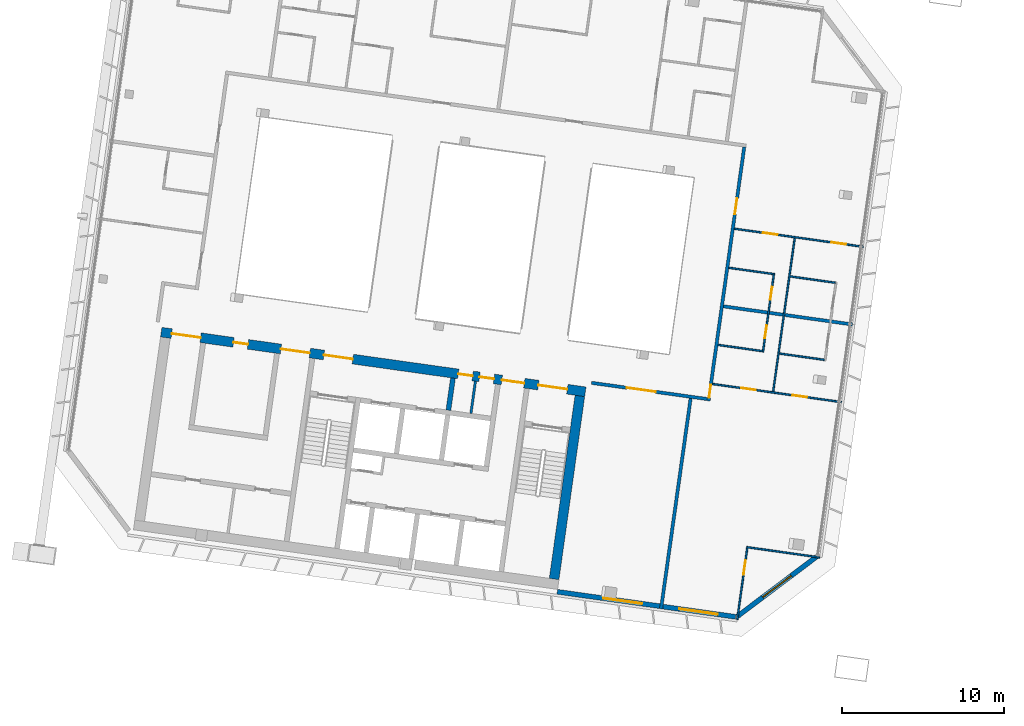
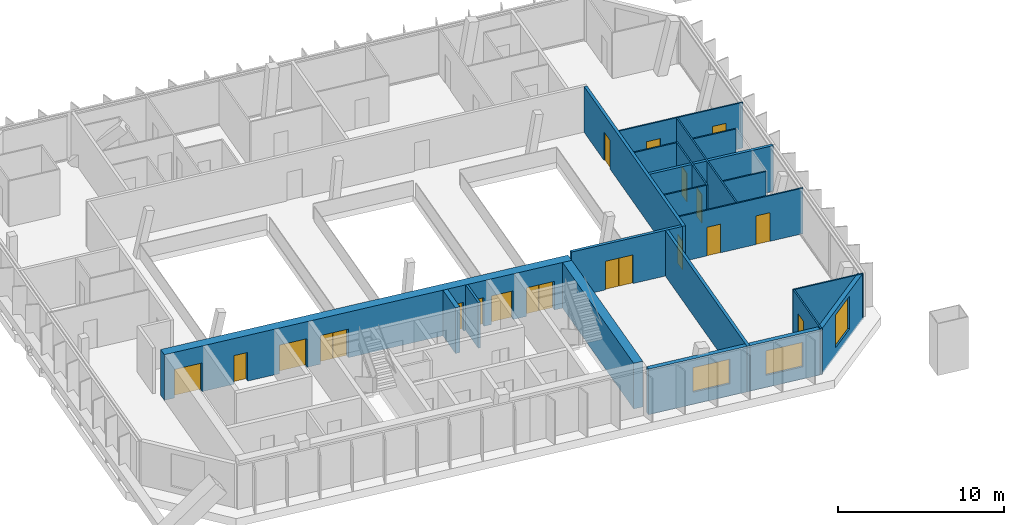
# One storey, part 15 of 25: 20 walls, 18 doors, 3 windows, 21 openings.
"""IFC4 building model written with IfcOpenShell, lengths in metres."""

from ifc_helpers import new_model, si_unit, direction, frame, frame_2d, origin, place, context, subcontext, project, spatial, rectangle, extrude, material, layer, layer_set, type_object, element, fill, save


model = new_model("IFC4")

# Units and contexts
model_context = context("Model", 3, precision=1e-05, world=origin(), true_north=direction((0.0, 1.0)))
body_context = subcontext(model_context, "Body", "Model", "MODEL_VIEW")
ifc_project = project(units=[si_unit("LENGTHUNIT", "METRE"), si_unit("AREAUNIT", "SQUARE_METRE"), si_unit("VOLUMEUNIT", "CUBIC_METRE"), si_unit("PLANEANGLEUNIT", "RADIAN"), si_unit("MASSUNIT", "GRAM", prefix="KILO")], contexts=[model_context])

# Site, building, storey
site_placement = place(None, origin())
site = spatial("IfcSite", under=ifc_project, at=site_placement, CompositionType="ELEMENT")
building_placement = place(site_placement, origin())
building = spatial("IfcBuilding", under=site, at=building_placement, Name="Mirante Cascada Hotel Towers", CompositionType="ELEMENT")
storey_placement = place(building_placement, frame((0.0, 0.0, 247.0)))
storey = spatial("IfcBuildingStorey", under=building, at=storey_placement, Name="L59", CompositionType="ELEMENT", Elevation=247.0)

# Wall, opening, door
ifc_material_1 = material(Name="Fire-rated plasterboard on metal studs")
ifc_layer_1 = layer(ifc_material_1, 0.2)
ifc_layer_set_1 = layer_set([ifc_layer_1], Name="Compartment wall 200 EI 120")
wall_type_1 = type_object("IfcWallType", Name="Compartment wall 200 EI 120", PredefinedType="PARTITIONING", material=ifc_layer_set_1)
wall_1_placement = place(storey_placement, frame((-28.1335, -8.1193, 0.0), z_axis=(0.0, 0.0, 1.0), x_axis=(-0.9902689, 0.1391674, 0.0)))
wall_1 = element("IfcWall", 1, at=wall_1_placement, inside=storey, type_object=wall_type_1, Name="Wall 1-L59-02", PredefinedType="PARTITIONING", context=body_context, shape_type="SweptSolid", body=[
    extrude(rectangle(XDim=7.2, YDim=0.2, at=frame_2d((3.6, 0.0))), origin(), (0.0, 0.0, 1.0), 3.35),
])
opening_1_placement = place(wall_1_placement, frame((3.2085, 0.0, 0.0)))
opening_1 = element("IfcOpeningElement", 2, at=opening_1_placement, cuts=wall_1, Name="Opening D1-L59-01", PredefinedType="OPENING", context=body_context, shape_type="SweptSolid", body=[
    extrude(rectangle(XDim=1.8, YDim=2.1, at=frame_2d((0.9, 1.05))), frame((0.0, 0.1, 0.0), z_axis=(0.0, -1.0, 0.0), x_axis=(1.0, 0.0, 0.0)), (0.0, 0.0, 1.0), 0.2),
])
ifc_material_2 = material(Name="Fire-rated timber door leaf", Category="wood")
door_type_1 = type_object("IfcDoorType", Name="Suite double door DG2 1800x2100 EI 60", OperationType="DOUBLE_DOOR_SINGLE_SWING", PredefinedType="DOOR", material=ifc_material_2)
door_1_placement = place(opening_1_placement, origin())
door_1 = element("IfcDoor", 3, at=door_1_placement, inside=storey, type_object=door_type_1, Name="Door D1-L59-01", OperationType="DOUBLE_DOOR_SINGLE_SWING", OverallHeight=2.1, OverallWidth=1.8, PredefinedType="DOOR", context=body_context, shape_type="SweptSolid", body=[
    extrude(rectangle(XDim=0.895, YDim=2.1, at=frame_2d((0.4475, 1.05))), frame((0.0, 0.025, 0.0), z_axis=(0.0, -1.0, 0.0), x_axis=(1.0, 0.0, 0.0)), (0.0, 0.0, 1.0), 0.05),
    extrude(rectangle(XDim=0.895, YDim=2.1, at=frame_2d((1.3525, 1.05))), frame((0.0, 0.025, 0.0), z_axis=(0.0, -1.0, 0.0), x_axis=(1.0, 0.0, 0.0)), (0.0, 0.0, 1.0), 0.05),
])
fill(opening_1, door_1)

# Wall
wall_2_placement = place(storey_placement, frame((-27.1282, -2.4036, 0.0), z_axis=(0.0, 0.0, 1.0), x_axis=(0.9902673, -0.1391788, 0.0)))
element("IfcWall", 4, at=wall_2_placement, inside=storey, type_object=wall_type_1, Name="Wall 1-L59-07", PredefinedType="PARTITIONING", context=body_context, shape_type="SweptSolid", body=[
    extrude(rectangle(XDim=8.0235, YDim=0.2, at=frame_2d((4.0118, 0.0))), origin(), (0.0, 0.0, 1.0), 3.35),
])

# Wall, openings, doors
wall_3_placement = place(storey_placement, frame((-28.0484, -8.2323, 0.0), z_axis=(0.0, 0.0, 1.0), x_axis=(0.1391766, 0.9902676, 0.0)))
wall_3 = element("IfcWall", 5, at=wall_3_placement, inside=storey, type_object=wall_type_1, Name="Wall 1-L59-32", PredefinedType="PARTITIONING", context=body_context, shape_type="SweptSolid", body=[
    extrude(rectangle(XDim=15.8001, YDim=0.2, at=frame_2d((7.9, 0.0))), origin(), (0.0, 0.0, 1.0), 3.35),
])
opening_2_placement = place(wall_3_placement, frame((0.205, 0.0, 0.0)))
opening_2 = element("IfcOpeningElement", 6, at=opening_2_placement, cuts=wall_3, Name="Opening D1-L59-23", PredefinedType="OPENING", context=body_context, shape_type="SweptSolid", body=[
    extrude(rectangle(XDim=0.8, YDim=2.1, at=frame_2d((0.4, 1.05))), frame((0.0, 0.1, 0.0), z_axis=(0.0, -1.0, 0.0), x_axis=(1.0, 0.0, 0.0)), (0.0, 0.0, 1.0), 0.2),
])
opening_3_placement = place(wall_3_placement, frame((11.6166, 0.0, 0.0)))
opening_3 = element("IfcOpeningElement", 7, at=opening_3_placement, cuts=wall_3, Name="Opening D1-L59-24", PredefinedType="OPENING", context=body_context, shape_type="SweptSolid", body=[
    extrude(rectangle(XDim=1.0, YDim=2.1, at=frame_2d((0.5, 1.05))), frame((0.0, 0.1, 0.0), z_axis=(0.0, -1.0, 0.0), x_axis=(1.0, 0.0, 0.0)), (0.0, 0.0, 1.0), 0.2),
])
ifc_material_3 = material(Name="Fire-rated timber door leaf", Category="wood")
door_type_2 = type_object("IfcDoorType", Name="Bathroom door DG4 800x2100 EI 60", OperationType="SINGLE_SWING_LEFT", PredefinedType="DOOR", material=ifc_material_3)
door_2_placement = place(opening_2_placement, frame((0.8, 0.0, 0.0), z_axis=(0.0, 0.0, 1.0), x_axis=(-1.0, 0.0, 0.0)))
door_2 = element("IfcDoor", 8, at=door_2_placement, inside=storey, type_object=door_type_2, Name="Door D1-L59-23", OperationType="SINGLE_SWING_RIGHT", OverallHeight=2.1, OverallWidth=0.8, PredefinedType="DOOR", context=body_context, shape_type="SweptSolid", body=[
    extrude(rectangle(XDim=0.8, YDim=2.1, at=frame_2d((0.4, 1.05))), frame((0.0, 0.025, 0.0), z_axis=(0.0, -1.0, 0.0), x_axis=(1.0, 0.0, 0.0)), (0.0, 0.0, 1.0), 0.05),
])
fill(opening_2, door_2)
ifc_material_4 = material(Name="Fire-rated timber door leaf", Category="wood")
door_type_3 = type_object("IfcDoorType", Name="Entrance door DG1 1000x2100 EI 60", OperationType="SINGLE_SWING_LEFT", PredefinedType="DOOR", material=ifc_material_4)
door_3_placement = place(opening_3_placement, frame((1.0, 0.0, 0.0), z_axis=(0.0, 0.0, 1.0), x_axis=(-1.0, 0.0, 0.0)))
door_3 = element("IfcDoor", 9, at=door_3_placement, inside=storey, type_object=door_type_3, Name="Door D1-L59-24", OperationType="SINGLE_SWING_RIGHT", OverallHeight=2.1, OverallWidth=1.0, PredefinedType="DOOR", context=body_context, shape_type="SweptSolid", body=[
    extrude(rectangle(XDim=1.0, YDim=2.1, at=frame_2d((0.5, 1.05))), frame((0.0, 0.025, 0.0), z_axis=(0.0, -1.0, 0.0), x_axis=(1.0, 0.0, 0.0)), (0.0, 0.0, 1.0), 0.05),
])
fill(opening_3, door_3)

# Walls
wall_4_placement = place(storey_placement, frame((-29.1544, -8.0768, 0.0), z_axis=(0.0, 0.0, 1.0), x_axis=(-0.1391756, -0.9902677, 0.0)))
element("IfcWall", 10, at=wall_4_placement, inside=storey, type_object=wall_type_1, Name="Wall 1-L59-33", PredefinedType="PARTITIONING", context=body_context, shape_type="SweptSolid", body=[
    extrude(rectangle(XDim=13.1, YDim=0.2, at=frame_2d((6.55, 0.0))), origin(), (0.0, 0.0, 1.0), 3.35),
])
ifc_material_5 = material(Name="Masonry block", Category="masonry")
ifc_layer_2 = layer(ifc_material_5, 0.15)
ifc_layer_set_2 = layer_set([ifc_layer_2], Name="Core room partition 150 block EI 30")
wall_type_2 = type_object("IfcWallType", Name="Core room partition 150 block EI 30", PredefinedType="PARTITIONING", material=ifc_layer_set_2)
wall_5_placement = place(storey_placement, frame((-42.6979, -9.0009, 0.0), z_axis=(0.0, 0.0, 1.0), x_axis=(0.1391529, 0.9902709, 0.0)))
element("IfcWall", 11, at=wall_5_placement, inside=storey, type_object=wall_type_2, Name="Core wall partition T1 L59 4", PredefinedType="PARTITIONING", context=body_context, shape_type="SweptSolid", body=[
    extrude(rectangle(XDim=2.0, YDim=0.15, at=frame_2d((1.0, 0.0))), origin(), (0.0, 0.0, 1.0), 3.35),
])
ifc_material_6 = material(Name="Masonry block", Category="masonry")
ifc_layer_3 = layer(ifc_material_6, 0.3)
ifc_layer_set_3 = layer_set([ifc_layer_3], Name="Core wall 300 block EI 120")
wall_type_3 = type_object("IfcWallType", Name="Core wall 300 block EI 120", PredefinedType="PARTITIONING", material=ifc_layer_set_3)
wall_6_placement = place(storey_placement, frame((-44.0843, -8.8061, 0.0), z_axis=(0.0, 0.0, 1.0), x_axis=(0.1391951, 0.990265, 0.0)))
element("IfcWall", 12, at=wall_6_placement, inside=storey, type_object=wall_type_3, Name="Core wall partition T1 L59 1", PredefinedType="PARTITIONING", context=body_context, shape_type="SweptSolid", body=[
    extrude(rectangle(XDim=2.0001, YDim=0.3, at=frame_2d((1.0001, 0.0))), origin(), (0.0, 0.0, 1.0), 3.35),
])
ifc_material_7 = material(Name="Plasterboard on metal studs")
ifc_layer_4 = layer(ifc_material_7, 0.1)
ifc_layer_set_4 = layer_set([ifc_layer_4], Name="Partition 100")
wall_type_4 = type_object("IfcWallType", Name="Partition 100", PredefinedType="PARTITIONING", material=ifc_layer_set_4)
wall_7_placement = place(storey_placement, frame((-25.7065, -17.2459, 0.0), z_axis=(0.0, 0.0, 1.0), x_axis=(0.9902691, -0.1391656, 0.0)))
element("IfcWall", 13, at=wall_7_placement, inside=storey, type_object=wall_type_4, Name="Wall 1-L59-01", PredefinedType="PARTITIONING", context=body_context, shape_type="SweptSolid", body=[
    extrude(rectangle(XDim=4.55, YDim=0.1, at=frame_2d((2.275, 0.0))), origin(), (0.0, 0.0, 1.0), 3.35),
])

# Wall, openings, doors
wall_8_placement = place(storey_placement, frame((-27.8009, -7.1899, 0.0), z_axis=(0.0, 0.0, 1.0), x_axis=(0.990269, -0.1391666, 0.0)))
wall_8 = element("IfcWall", 14, at=wall_8_placement, inside=storey, type_object=wall_type_4, Name="Wall 1-L59-03", PredefinedType="PARTITIONING", context=body_context, shape_type="SweptSolid", body=[
    extrude(rectangle(XDim=8.0235, YDim=0.1, at=frame_2d((4.0118, 0.0))), origin(), (0.0, 0.0, 1.0), 3.35),
])
opening_4_placement = place(wall_8_placement, frame((4.9735, 0.0, 0.0)))
opening_4 = element("IfcOpeningElement", 15, at=opening_4_placement, cuts=wall_8, Name="Opening D1-L59-02", PredefinedType="OPENING", context=body_context, shape_type="SweptSolid", body=[
    extrude(rectangle(XDim=0.9, YDim=2.1, at=frame_2d((0.45, 1.05))), frame((0.0, 0.05, 0.0), z_axis=(0.0, -1.0, 0.0), x_axis=(1.0, 0.0, 0.0)), (0.0, 0.0, 1.0), 0.1),
])
opening_5_placement = place(wall_8_placement, frame((1.7809, 0.0, 0.0)))
opening_5 = element("IfcOpeningElement", 16, at=opening_5_placement, cuts=wall_8, Name="Opening D1-L59-03", PredefinedType="OPENING", context=body_context, shape_type="SweptSolid", body=[
    extrude(rectangle(XDim=0.9, YDim=2.1, at=frame_2d((0.45, 1.05))), frame((0.0, 0.05, 0.0), z_axis=(0.0, -1.0, 0.0), x_axis=(1.0, 0.0, 0.0)), (0.0, 0.0, 1.0), 0.1),
])
ifc_material_8 = material(Name="Timber door leaf", Category="wood")
door_type_4 = type_object("IfcDoorType", Name="Room door DG3 900x2100", OperationType="SINGLE_SWING_LEFT", PredefinedType="DOOR", material=ifc_material_8)
door_4_placement = place(opening_4_placement, frame((0.9, 0.0, 0.0), z_axis=(0.0, 0.0, 1.0), x_axis=(-1.0, 0.0, 0.0)))
door_4 = element("IfcDoor", 17, at=door_4_placement, inside=storey, type_object=door_type_4, Name="Door D1-L59-02", OperationType="SINGLE_SWING_RIGHT", OverallHeight=2.1, OverallWidth=0.9, PredefinedType="DOOR", context=body_context, shape_type="SweptSolid", body=[
    extrude(rectangle(XDim=0.9, YDim=2.1, at=frame_2d((0.45, 1.05))), frame((0.0, 0.025, 0.0), z_axis=(0.0, -1.0, 0.0), x_axis=(1.0, 0.0, 0.0)), (0.0, 0.0, 1.0), 0.05),
])
fill(opening_4, door_4)
door_5_placement = place(opening_5_placement, frame((0.9, 0.0, 0.0), z_axis=(0.0, 0.0, 1.0), x_axis=(-1.0, 0.0, 0.0)))
door_5 = element("IfcDoor", 18, at=door_5_placement, inside=storey, type_object=door_type_4, Name="Door D1-L59-03", OperationType="SINGLE_SWING_RIGHT", OverallHeight=2.1, OverallWidth=0.9, PredefinedType="DOOR", context=body_context, shape_type="SweptSolid", body=[
    extrude(rectangle(XDim=0.9, YDim=2.1, at=frame_2d((0.45, 1.05))), frame((0.0, 0.025, 0.0), z_axis=(0.0, -1.0, 0.0), x_axis=(1.0, 0.0, 0.0)), (0.0, 0.0, 1.0), 0.05),
])
fill(opening_5, door_5)

# Walls
wall_9_placement = place(storey_placement, frame((-23.6875, -5.3107, 0.0), z_axis=(0.0, 0.0, 1.0), x_axis=(0.990267, -0.139181, 0.0)))
element("IfcWall", 19, at=wall_9_placement, inside=storey, type_object=wall_type_4, Name="Wall 1-L59-05", PredefinedType="PARTITIONING", context=body_context, shape_type="SweptSolid", body=[
    extrude(rectangle(XDim=2.8, YDim=0.1, at=frame_2d((1.4, 0.0))), origin(), (0.0, 0.0, 1.0), 3.35),
])
wall_10_placement = place(storey_placement, frame((-24.739, -5.163, 0.0), z_axis=(0.0, 0.0, 1.0), x_axis=(-0.9902641, 0.1392013, 0.0)))
element("IfcWall", 20, at=wall_10_placement, inside=storey, type_object=wall_type_4, Name="Wall 1-L59-06", PredefinedType="PARTITIONING", context=body_context, shape_type="SweptSolid", body=[
    extrude(rectangle(XDim=2.75, YDim=0.1, at=frame_2d((1.375, 0.0))), origin(), (0.0, 0.0, 1.0), 3.35),
])
wall_11_placement = place(storey_placement, frame((-23.0195, -0.5575, 0.0), z_axis=(0.0, 0.0, 1.0), x_axis=(0.9902719, -0.1391459, 0.0)))
element("IfcWall", 21, at=wall_11_placement, inside=storey, type_object=wall_type_4, Name="Wall 1-L59-09", PredefinedType="PARTITIONING", context=body_context, shape_type="SweptSolid", body=[
    extrude(rectangle(XDim=2.7999, YDim=0.1, at=frame_2d((1.4, 0.0))), origin(), (0.0, 0.0, 1.0), 3.35),
])
wall_12_placement = place(storey_placement, frame((-24.071, -0.4097, 0.0), z_axis=(0.0, 0.0, 1.0), x_axis=(-0.9902691, 0.1391657, 0.0)))
element("IfcWall", 22, at=wall_12_placement, inside=storey, type_object=wall_type_4, Name="Wall 1-L59-10", PredefinedType="PARTITIONING", context=body_context, shape_type="SweptSolid", body=[
    extrude(rectangle(XDim=2.75, YDim=0.1, at=frame_2d((1.375, 0.0))), origin(), (0.0, 0.0, 1.0), 3.35),
])

# Wall, openings, doors
wall_13_placement = place(storey_placement, frame((-18.5101, 1.266, 0.0), z_axis=(0.0, 0.0, 1.0), x_axis=(-0.9902675, 0.1391771, 0.0)))
wall_13 = element("IfcWall", 23, at=wall_13_placement, inside=storey, type_object=wall_type_4, Name="Wall 1-L59-12", PredefinedType="PARTITIONING", context=body_context, shape_type="SweptSolid", body=[
    extrude(rectangle(XDim=8.0236, YDim=0.1, at=frame_2d((4.0118, 0.0))), origin(), (0.0, 0.0, 1.0), 3.35),
])
opening_6_placement = place(wall_13_placement, frame((1.0809, 0.0, 0.0)))
opening_6 = element("IfcOpeningElement", 24, at=opening_6_placement, cuts=wall_13, Name="Opening D1-L59-05", PredefinedType="OPENING", context=body_context, shape_type="SweptSolid", body=[
    extrude(rectangle(XDim=0.9, YDim=2.1, at=frame_2d((0.45, 1.05))), frame((0.0, 0.05, 0.0), z_axis=(0.0, -1.0, 0.0), x_axis=(1.0, 0.0, 0.0)), (0.0, 0.0, 1.0), 0.1),
])
opening_7_placement = place(wall_13_placement, frame((5.3426, 0.0, 0.0)))
opening_7 = element("IfcOpeningElement", 25, at=opening_7_placement, cuts=wall_13, Name="Opening D1-L59-06", PredefinedType="OPENING", context=body_context, shape_type="SweptSolid", body=[
    extrude(rectangle(XDim=0.9, YDim=2.1, at=frame_2d((0.45, 1.05))), frame((0.0, 0.05, 0.0), z_axis=(0.0, -1.0, 0.0), x_axis=(1.0, 0.0, 0.0)), (0.0, 0.0, 1.0), 0.1),
])
door_6_placement = place(opening_6_placement, frame((0.9, 0.0, 0.0), z_axis=(0.0, 0.0, 1.0), x_axis=(-1.0, 0.0, 0.0)))
door_6 = element("IfcDoor", 26, at=door_6_placement, inside=storey, type_object=door_type_4, Name="Door D1-L59-05", OperationType="SINGLE_SWING_RIGHT", OverallHeight=2.1, OverallWidth=0.9, PredefinedType="DOOR", context=body_context, shape_type="SweptSolid", body=[
    extrude(rectangle(XDim=0.9, YDim=2.1, at=frame_2d((0.45, 1.05))), frame((0.0, 0.025, 0.0), z_axis=(0.0, -1.0, 0.0), x_axis=(1.0, 0.0, 0.0)), (0.0, 0.0, 1.0), 0.05),
])
fill(opening_6, door_6)
door_7_placement = place(opening_7_placement, frame((0.9, 0.0, 0.0), z_axis=(0.0, 0.0, 1.0), x_axis=(-1.0, 0.0, 0.0)))
door_7 = element("IfcDoor", 27, at=door_7_placement, inside=storey, type_object=door_type_4, Name="Door D1-L59-06", OperationType="SINGLE_SWING_RIGHT", OverallHeight=2.1, OverallWidth=0.9, PredefinedType="DOOR", context=body_context, shape_type="SweptSolid", body=[
    extrude(rectangle(XDim=0.9, YDim=2.1, at=frame_2d((0.45, 1.05))), frame((0.0, 0.025, 0.0), z_axis=(0.0, -1.0, 0.0), x_axis=(1.0, 0.0, 0.0)), (0.0, 0.0, 1.0), 0.05),
])
fill(opening_7, door_7)

# Wall
wall_14_placement = place(storey_placement, frame((-24.0687, -7.6639, 0.0), z_axis=(0.0, 0.0, 1.0), x_axis=(0.1391717, 0.9902683, 0.0)))
element("IfcWall", 28, at=wall_14_placement, inside=storey, type_object=wall_type_4, Name="Wall 1-L59-28", PredefinedType="PARTITIONING", context=body_context, shape_type="SweptSolid", body=[
    extrude(rectangle(XDim=9.5666, YDim=0.1, at=frame_2d((4.7833, 0.0))), origin(), (0.0, 0.0, 1.0), 3.35),
])

# Wall, opening, door
wall_15_placement = place(storey_placement, frame((-25.664, -17.3024, 0.0), z_axis=(0.0, 0.0, 1.0), x_axis=(-0.1391684, -0.9902687, 0.0)))
wall_15 = element("IfcWall", 29, at=wall_15_placement, inside=storey, type_object=wall_type_4, Name="Wall 1-L59-29", PredefinedType="PARTITIONING", context=body_context, shape_type="SweptSolid", body=[
    extrude(rectangle(XDim=4.45, YDim=0.1, at=frame_2d((2.225, 0.0))), origin(), (0.0, 0.0, 1.0), 3.35),
])
opening_8_placement = place(wall_15_placement, frame((0.75, 0.0, 0.0)))
opening_8 = element("IfcOpeningElement", 30, at=opening_8_placement, cuts=wall_15, Name="Opening D1-L59-19", PredefinedType="OPENING", context=body_context, shape_type="SweptSolid", body=[
    extrude(rectangle(XDim=0.9, YDim=2.1, at=frame_2d((0.45, 1.05))), frame((0.0, 0.05, 0.0), z_axis=(0.0, -1.0, 0.0), x_axis=(1.0, 0.0, 0.0)), (0.0, 0.0, 1.0), 0.1),
])
door_8_placement = place(opening_8_placement, frame((0.9, 0.0, 0.0), z_axis=(0.0, 0.0, 1.0), x_axis=(-1.0, 0.0, 0.0)))
door_8 = element("IfcDoor", 31, at=door_8_placement, inside=storey, type_object=door_type_4, Name="Door D1-L59-19", OperationType="SINGLE_SWING_RIGHT", OverallHeight=2.1, OverallWidth=0.9, PredefinedType="DOOR", context=body_context, shape_type="SweptSolid", body=[
    extrude(rectangle(XDim=0.9, YDim=2.1, at=frame_2d((0.45, 1.05))), frame((0.0, 0.025, 0.0), z_axis=(0.0, -1.0, 0.0), x_axis=(1.0, 0.0, 0.0)), (0.0, 0.0, 1.0), 0.05),
])
fill(opening_8, door_8)

# Wall, openings, doors
wall_16_placement = place(storey_placement, frame((-24.0145, -0.3671, 0.0), z_axis=(0.0, 0.0, 1.0), x_axis=(-0.1391638, -0.9902694, 0.0)))
wall_16 = element("IfcWall", 32, at=wall_16_placement, inside=storey, type_object=wall_type_4, Name="Wall 1-L59-31", PredefinedType="PARTITIONING", context=body_context, shape_type="SweptSolid", body=[
    extrude(rectangle(XDim=4.9, YDim=0.1, at=frame_2d((2.45, 0.0))), origin(), (0.0, 0.0, 1.0), 3.35),
])
opening_9_placement = place(wall_16_placement, frame((3.25, 0.0, 0.0)))
opening_9 = element("IfcOpeningElement", 33, at=opening_9_placement, cuts=wall_16, Name="Opening D1-L59-21", PredefinedType="OPENING", context=body_context, shape_type="SweptSolid", body=[
    extrude(rectangle(XDim=0.8, YDim=2.1, at=frame_2d((0.4, 1.05))), frame((0.0, 0.05, 0.0), z_axis=(0.0, -1.0, 0.0), x_axis=(1.0, 0.0, 0.0)), (0.0, 0.0, 1.0), 0.1),
])
opening_10_placement = place(wall_16_placement, frame((0.85, 0.0, 0.0)))
opening_10 = element("IfcOpeningElement", 34, at=opening_10_placement, cuts=wall_16, Name="Opening D1-L59-22", PredefinedType="OPENING", context=body_context, shape_type="SweptSolid", body=[
    extrude(rectangle(XDim=0.8, YDim=2.1, at=frame_2d((0.4, 1.05))), frame((0.0, 0.05, 0.0), z_axis=(0.0, -1.0, 0.0), x_axis=(1.0, 0.0, 0.0)), (0.0, 0.0, 1.0), 0.1),
])
ifc_material_9 = material(Name="Timber door leaf", Category="wood")
door_type_5 = type_object("IfcDoorType", Name="Bathroom door DG4 800x2100", OperationType="SINGLE_SWING_LEFT", PredefinedType="DOOR", material=ifc_material_9)
door_9_placement = place(opening_9_placement, frame((0.8, 0.0, 0.0), z_axis=(0.0, 0.0, 1.0), x_axis=(-1.0, 0.0, 0.0)))
door_9 = element("IfcDoor", 35, at=door_9_placement, inside=storey, type_object=door_type_5, Name="Door D1-L59-21", OperationType="SINGLE_SWING_RIGHT", OverallHeight=2.1, OverallWidth=0.8, PredefinedType="DOOR", context=body_context, shape_type="SweptSolid", body=[
    extrude(rectangle(XDim=0.8, YDim=2.1, at=frame_2d((0.4, 1.05))), frame((0.0, 0.025, 0.0), z_axis=(0.0, -1.0, 0.0), x_axis=(1.0, 0.0, 0.0)), (0.0, 0.0, 1.0), 0.05),
])
fill(opening_9, door_9)
door_10_placement = place(opening_10_placement, frame((0.8, 0.0, 0.0), z_axis=(0.0, 0.0, 1.0), x_axis=(-1.0, 0.0, 0.0)))
door_10 = element("IfcDoor", 36, at=door_10_placement, inside=storey, type_object=door_type_5, Name="Door D1-L59-22", OperationType="SINGLE_SWING_RIGHT", OverallHeight=2.1, OverallWidth=0.8, PredefinedType="DOOR", context=body_context, shape_type="SweptSolid", body=[
    extrude(rectangle(XDim=0.8, YDim=2.1, at=frame_2d((0.4, 1.05))), frame((0.0, 0.025, 0.0), z_axis=(0.0, -1.0, 0.0), x_axis=(1.0, 0.0, 0.0)), (0.0, 0.0, 1.0), 0.05),
])
fill(opening_10, door_10)

# Wall, openings, windows
ifc_material_10 = material(Name="Precast concrete C40/50", Category="concrete")
ifc_layer_5 = layer(ifc_material_10, 0.3)
ifc_layer_set_5 = layer_set([ifc_layer_5], Name="Precast concrete C40/50 cladding wall 300")
wall_type_5 = type_object("IfcWallType", Name="Precast concrete C40/50 cladding wall 300", PredefinedType="STANDARD", material=ifc_layer_set_5)
wall_17_placement = place(storey_placement, frame((-26.3853, -21.5433, 0.0), z_axis=(0.0, 0.0, 1.0), x_axis=(-0.9902673, 0.1391784, 0.0)))
wall_17 = element("IfcWall", 37, at=wall_17_placement, inside=storey, type_object=wall_type_5, Name="Rear cladding wall T1 L59 1", PredefinedType="STANDARD", context=body_context, shape_type="SweptSolid", body=[
    extrude(rectangle(XDim=11.0994, YDim=0.3, at=frame_2d((5.5497, 0.0))), origin(), (0.0, 0.0, 1.0), 3.35),
])
opening_11_placement = place(wall_17_placement, frame((1.1005, 0.0, 0.9)))
opening_11 = element("IfcOpeningElement", 38, at=opening_11_placement, cuts=wall_17, Name="Opening W1-59-01", PredefinedType="OPENING", context=body_context, shape_type="SweptSolid", body=[
    extrude(rectangle(XDim=2.4, YDim=1.8, at=frame_2d((1.2, 0.9))), frame((0.0, 0.15, 0.0), z_axis=(0.0, -1.0, 0.0), x_axis=(1.0, 0.0, 0.0)), (0.0, 0.0, 1.0), 0.3),
])
opening_12_placement = place(wall_17_placement, frame((5.8254, 0.0, 0.9)))
opening_12 = element("IfcOpeningElement", 39, at=opening_12_placement, cuts=wall_17, Name="Opening W1-59-02", PredefinedType="OPENING", context=body_context, shape_type="SweptSolid", body=[
    extrude(rectangle(XDim=2.4, YDim=1.8, at=frame_2d((1.2, 0.9))), frame((0.0, 0.15, 0.0), z_axis=(0.0, -1.0, 0.0), x_axis=(1.0, 0.0, 0.0)), (0.0, 0.0, 1.0), 0.3),
])
ifc_material_11 = material(Name="Aluminium frame with clear double glazing", Category="aluminium")
window_type_1 = type_object("IfcWindowType", Name="Punched window 2400x1800", PartitioningType="DOUBLE_PANEL_VERTICAL", PredefinedType="WINDOW", material=ifc_material_11)
window_1_placement = place(opening_11_placement, origin())
window_1 = element("IfcWindow", 40, at=window_1_placement, inside=storey, type_object=window_type_1, Name="Window W1-59-01", OverallHeight=1.8, OverallWidth=2.4, PartitioningType="SINGLE_PANEL", PredefinedType="WINDOW", context=body_context, shape_type="SweptSolid", body=[
    extrude(rectangle(XDim=2.4, YDim=1.8, at=frame_2d((1.2, 0.9))), frame((0.0, 0.03, 0.0), z_axis=(0.0, -1.0, 0.0), x_axis=(1.0, 0.0, 0.0)), (0.0, 0.0, 1.0), 0.06),
])
fill(opening_11, window_1)
window_2_placement = place(opening_12_placement, origin())
window_2 = element("IfcWindow", 41, at=window_2_placement, inside=storey, type_object=window_type_1, Name="Window W1-59-02", OverallHeight=1.8, OverallWidth=2.4, PartitioningType="SINGLE_PANEL", PredefinedType="WINDOW", context=body_context, shape_type="SweptSolid", body=[
    extrude(rectangle(XDim=2.4, YDim=1.8, at=frame_2d((1.2, 0.9))), frame((0.0, 0.03, 0.0), z_axis=(0.0, -1.0, 0.0), x_axis=(1.0, 0.0, 0.0)), (0.0, 0.0, 1.0), 0.06),
])
fill(opening_12, window_2)

# Wall, opening, window
wall_18_placement = place(storey_placement, frame((-21.3902, -17.8341, 0.0), z_axis=(0.0, 0.0, 1.0), x_axis=(-0.7986362, -0.6018141, 0.0)))
wall_18 = element("IfcWall", 42, at=wall_18_placement, inside=storey, type_object=wall_type_5, Name="Corner cladding wall T1 L59 inner rear", PredefinedType="STANDARD", context=body_context, shape_type="SweptSolid", body=[
    extrude(rectangle(XDim=6.1157, YDim=0.3, at=frame_2d((3.0578, 0.0))), origin(), (0.0, 0.0, 1.0), 3.35),
])
opening_13_placement = place(wall_18_placement, frame((1.9578, 0.0, 0.6)))
opening_13 = element("IfcOpeningElement", 43, at=opening_13_placement, cuts=wall_18, Name="Opening W1-59-06", PredefinedType="OPENING", context=body_context, shape_type="SweptSolid", body=[
    extrude(rectangle(XDim=2.2, YDim=2.4, at=frame_2d((1.1, 1.2))), frame((0.0, 0.15, 0.0), z_axis=(0.0, -1.0, 0.0), x_axis=(1.0, 0.0, 0.0)), (0.0, 0.0, 1.0), 0.3),
])
ifc_material_12 = material(Name="Aluminium frame with clear double glazing", Category="aluminium")
window_type_2 = type_object("IfcWindowType", Name="Corner suite window 2200x2400", PartitioningType="DOUBLE_PANEL_VERTICAL", PredefinedType="WINDOW", material=ifc_material_12)
window_3_placement = place(opening_13_placement, origin())
window_3 = element("IfcWindow", 44, at=window_3_placement, inside=storey, type_object=window_type_2, Name="Window W1-59-06", OverallHeight=2.4, OverallWidth=2.2, PartitioningType="SINGLE_PANEL", PredefinedType="WINDOW", context=body_context, shape_type="SweptSolid", body=[
    extrude(rectangle(XDim=2.2, YDim=2.4, at=frame_2d((1.1, 1.2))), frame((0.0, 0.03, 0.0), z_axis=(0.0, -1.0, 0.0), x_axis=(1.0, 0.0, 0.0)), (0.0, 0.0, 1.0), 0.06),
])
fill(opening_13, window_3)

# Wall, openings, doors
ifc_material_13 = material(Name="Concrete C50/60", Category="concrete")
ifc_layer_6 = layer(ifc_material_13, 0.6)
ifc_layer_set_6 = layer_set([ifc_layer_6], Name="RC core wall 600 C50/60")
wall_type_6 = type_object("IfcWallType", Name="RC core wall 600 C50/60", PredefinedType="SHEAR", material=ifc_layer_set_6)
wall_19_placement = place(storey_placement, frame((-35.644, -7.6697, 0.0), z_axis=(0.0, 0.0, 1.0), x_axis=(-0.9902679, 0.1391741, 0.0)))
wall_19 = element("IfcWall", 45, at=wall_19_placement, inside=storey, type_object=wall_type_6, Name="Core wall T1:L59:2", PredefinedType="SHEAR", context=body_context, shape_type="SweptSolid", body=[
    extrude(rectangle(XDim=26.4, YDim=0.6, at=frame_2d((13.2, 0.0))), origin(), (0.0, 0.0, 1.0), 3.35),
])
opening_14_placement = place(wall_19_placement, frame((1.125, 0.0, 0.0)))
opening_14 = element("IfcOpeningElement", 46, at=opening_14_placement, cuts=wall_19, Name="Opening D1-59-C08", PredefinedType="OPENING", context=body_context, shape_type="SweptSolid", body=[
    extrude(rectangle(XDim=1.8, YDim=2.1, at=frame_2d((0.9, 1.05))), frame((0.0, 0.3, 0.0), z_axis=(0.0, -1.0, 0.0), x_axis=(1.0, 0.0, 0.0)), (0.0, 0.0, 1.0), 0.6),
])
opening_15_placement = place(wall_19_placement, frame((14.475, 0.0, 0.0)))
opening_15 = element("IfcOpeningElement", 47, at=opening_15_placement, cuts=wall_19, Name="Opening D1-59-C10", PredefinedType="OPENING", context=body_context, shape_type="SweptSolid", body=[
    extrude(rectangle(XDim=1.8, YDim=2.1, at=frame_2d((0.9, 1.05))), frame((0.0, 0.3, 0.0), z_axis=(0.0, -1.0, 0.0), x_axis=(1.0, 0.0, 0.0)), (0.0, 0.0, 1.0), 0.6),
])
opening_16_placement = place(wall_19_placement, frame((3.8, 0.0, 0.0)))
opening_16 = element("IfcOpeningElement", 48, at=opening_16_placement, cuts=wall_19, Name="Opening D1-59-C11", PredefinedType="OPENING", context=body_context, shape_type="SweptSolid", body=[
    extrude(rectangle(XDim=1.4, YDim=2.1, at=frame_2d((0.7, 1.05))), frame((0.0, 0.3, 0.0), z_axis=(0.0, -1.0, 0.0), x_axis=(1.0, 0.0, 0.0)), (0.0, 0.0, 1.0), 0.6),
])
opening_17_placement = place(wall_19_placement, frame((17.15, 0.0, 0.0)))
opening_17 = element("IfcOpeningElement", 49, at=opening_17_placement, cuts=wall_19, Name="Opening D1-59-C12", PredefinedType="OPENING", context=body_context, shape_type="SweptSolid", body=[
    extrude(rectangle(XDim=1.8, YDim=2.1, at=frame_2d((0.9, 1.05))), frame((0.0, 0.3, 0.0), z_axis=(0.0, -1.0, 0.0), x_axis=(1.0, 0.0, 0.0)), (0.0, 0.0, 1.0), 0.6),
])
opening_18_placement = place(wall_19_placement, frame((23.95, 0.0, 0.0)))
opening_18 = element("IfcOpeningElement", 50, at=opening_18_placement, cuts=wall_19, Name="Opening D1-59-C13", PredefinedType="OPENING", context=body_context, shape_type="SweptSolid", body=[
    extrude(rectangle(XDim=1.8, YDim=2.1, at=frame_2d((0.9, 1.05))), frame((0.0, 0.3, 0.0), z_axis=(0.0, -1.0, 0.0), x_axis=(1.0, 0.0, 0.0)), (0.0, 0.0, 1.0), 0.6),
])
opening_19_placement = place(wall_19_placement, frame((5.6875, 0.0, 0.0)))
opening_19 = element("IfcOpeningElement", 51, at=opening_19_placement, cuts=wall_19, Name="Opening D1-59-C16", PredefinedType="OPENING", context=body_context, shape_type="SweptSolid", body=[
    extrude(rectangle(XDim=0.9, YDim=2.1, at=frame_2d((0.45, 1.05))), frame((0.0, 0.3, 0.0), z_axis=(0.0, -1.0, 0.0), x_axis=(1.0, 0.0, 0.0)), (0.0, 0.0, 1.0), 0.6),
])
opening_20_placement = place(wall_19_placement, frame((7.0125, 0.0, 0.0)))
opening_20 = element("IfcOpeningElement", 52, at=opening_20_placement, cuts=wall_19, Name="Opening D1-59-C17", PredefinedType="OPENING", context=body_context, shape_type="SweptSolid", body=[
    extrude(rectangle(XDim=0.9, YDim=2.1, at=frame_2d((0.45, 1.05))), frame((0.0, 0.3, 0.0), z_axis=(0.0, -1.0, 0.0), x_axis=(1.0, 0.0, 0.0)), (0.0, 0.0, 1.0), 0.6),
])
opening_21_placement = place(wall_19_placement, frame((21.0, 0.0, 0.0)))
opening_21 = element("IfcOpeningElement", 53, at=opening_21_placement, cuts=wall_19, Name="Opening D1-59-C20", PredefinedType="OPENING", context=body_context, shape_type="SweptSolid", body=[
    extrude(rectangle(XDim=0.9, YDim=2.1, at=frame_2d((0.45, 1.05))), frame((0.0, 0.3, 0.0), z_axis=(0.0, -1.0, 0.0), x_axis=(1.0, 0.0, 0.0)), (0.0, 0.0, 1.0), 0.6),
])
ifc_material_14 = material(Name="Hollow metal fire door leaf")
door_type_6 = type_object("IfcDoorType", Name="Double fire door 1400x2100 FD60", OperationType="DOUBLE_DOOR_SINGLE_SWING", PredefinedType="DOOR", material=ifc_material_14)
door_11_placement = place(opening_16_placement, frame((1.4, 0.0, 0.0), z_axis=(0.0, 0.0, 1.0), x_axis=(-1.0, 0.0, 0.0)))
door_11 = element("IfcDoor", 54, at=door_11_placement, inside=storey, type_object=door_type_6, Name="Exit door to gallery T1 L59 11", OperationType="DOUBLE_DOOR_SINGLE_SWING", OverallHeight=2.1, OverallWidth=1.4, PredefinedType="DOOR", context=body_context, shape_type="SweptSolid", body=[
    extrude(rectangle(XDim=0.695, YDim=2.1, at=frame_2d((0.3475, 1.05))), frame((0.0, 0.025, 0.0), z_axis=(0.0, -1.0, 0.0), x_axis=(1.0, 0.0, 0.0)), (0.0, 0.0, 1.0), 0.05),
    extrude(rectangle(XDim=0.695, YDim=2.1, at=frame_2d((1.0525, 1.05))), frame((0.0, 0.025, 0.0), z_axis=(0.0, -1.0, 0.0), x_axis=(1.0, 0.0, 0.0)), (0.0, 0.0, 1.0), 0.05),
])
fill(opening_16, door_11)
ifc_material_15 = material(Name="Hollow metal fire door leaf")
door_type_7 = type_object("IfcDoorType", Name="Double fire door 1800x2100 FD60", OperationType="DOUBLE_DOOR_SINGLE_SWING", PredefinedType="DOOR", material=ifc_material_15)
door_12_placement = place(opening_14_placement, origin())
door_12 = element("IfcDoor", 55, at=door_12_placement, inside=storey, type_object=door_type_7, Name="Exit door to gallery T1 L59 8", OperationType="DOUBLE_DOOR_SINGLE_SWING", OverallHeight=2.1, OverallWidth=1.8, PredefinedType="DOOR", context=body_context, shape_type="SweptSolid", body=[
    extrude(rectangle(XDim=0.895, YDim=2.1, at=frame_2d((0.4475, 1.05))), frame((0.0, 0.025, 0.0), z_axis=(0.0, -1.0, 0.0), x_axis=(1.0, 0.0, 0.0)), (0.0, 0.0, 1.0), 0.05),
    extrude(rectangle(XDim=0.895, YDim=2.1, at=frame_2d((1.3525, 1.05))), frame((0.0, 0.025, 0.0), z_axis=(0.0, -1.0, 0.0), x_axis=(1.0, 0.0, 0.0)), (0.0, 0.0, 1.0), 0.05),
])
fill(opening_14, door_12)
door_13_placement = place(opening_15_placement, origin())
door_13 = element("IfcDoor", 56, at=door_13_placement, inside=storey, type_object=door_type_7, Name="Exit door to gallery T1 L59 10", OperationType="DOUBLE_DOOR_SINGLE_SWING", OverallHeight=2.1, OverallWidth=1.8, PredefinedType="DOOR", context=body_context, shape_type="SweptSolid", body=[
    extrude(rectangle(XDim=0.895, YDim=2.1, at=frame_2d((0.4475, 1.05))), frame((0.0, 0.025, 0.0), z_axis=(0.0, -1.0, 0.0), x_axis=(1.0, 0.0, 0.0)), (0.0, 0.0, 1.0), 0.05),
    extrude(rectangle(XDim=0.895, YDim=2.1, at=frame_2d((1.3525, 1.05))), frame((0.0, 0.025, 0.0), z_axis=(0.0, -1.0, 0.0), x_axis=(1.0, 0.0, 0.0)), (0.0, 0.0, 1.0), 0.05),
])
fill(opening_15, door_13)
door_14_placement = place(opening_17_placement, frame((1.8, 0.0, 0.0), z_axis=(0.0, 0.0, 1.0), x_axis=(-1.0, 0.0, 0.0)))
door_14 = element("IfcDoor", 57, at=door_14_placement, inside=storey, type_object=door_type_7, Name="Exit door to gallery T1 L59 12", OperationType="DOUBLE_DOOR_SINGLE_SWING", OverallHeight=2.1, OverallWidth=1.8, PredefinedType="DOOR", context=body_context, shape_type="SweptSolid", body=[
    extrude(rectangle(XDim=0.895, YDim=2.1, at=frame_2d((0.4475, 1.05))), frame((0.0, 0.025, 0.0), z_axis=(0.0, -1.0, 0.0), x_axis=(1.0, 0.0, 0.0)), (0.0, 0.0, 1.0), 0.05),
    extrude(rectangle(XDim=0.895, YDim=2.1, at=frame_2d((1.3525, 1.05))), frame((0.0, 0.025, 0.0), z_axis=(0.0, -1.0, 0.0), x_axis=(1.0, 0.0, 0.0)), (0.0, 0.0, 1.0), 0.05),
])
fill(opening_17, door_14)
door_15_placement = place(opening_18_placement, frame((1.8, 0.0, 0.0), z_axis=(0.0, 0.0, 1.0), x_axis=(-1.0, 0.0, 0.0)))
door_15 = element("IfcDoor", 58, at=door_15_placement, inside=storey, type_object=door_type_7, Name="Exit door to gallery T1 L59 13", OperationType="DOUBLE_DOOR_SINGLE_SWING", OverallHeight=2.1, OverallWidth=1.8, PredefinedType="DOOR", context=body_context, shape_type="SweptSolid", body=[
    extrude(rectangle(XDim=0.895, YDim=2.1, at=frame_2d((0.4475, 1.05))), frame((0.0, 0.025, 0.0), z_axis=(0.0, -1.0, 0.0), x_axis=(1.0, 0.0, 0.0)), (0.0, 0.0, 1.0), 0.05),
    extrude(rectangle(XDim=0.895, YDim=2.1, at=frame_2d((1.3525, 1.05))), frame((0.0, 0.025, 0.0), z_axis=(0.0, -1.0, 0.0), x_axis=(1.0, 0.0, 0.0)), (0.0, 0.0, 1.0), 0.05),
])
fill(opening_18, door_15)
ifc_material_16 = material(Name="Hollow metal fire door leaf")
door_type_8 = type_object("IfcDoorType", Name="Fire door 900x2100 FD60", OperationType="NOTDEFINED", PredefinedType="DOOR", material=ifc_material_16)
door_16_placement = place(opening_19_placement, origin())
door_16 = element("IfcDoor", 59, at=door_16_placement, inside=storey, type_object=door_type_8, Name="Room door T1 L59 16", OperationType="SINGLE_SWING_RIGHT", OverallHeight=2.1, OverallWidth=0.9, PredefinedType="DOOR", context=body_context, shape_type="SweptSolid", body=[
    extrude(rectangle(XDim=0.9, YDim=2.1, at=frame_2d((0.45, 1.05))), frame((0.0, 0.025, 0.0), z_axis=(0.0, -1.0, 0.0), x_axis=(1.0, 0.0, 0.0)), (0.0, 0.0, 1.0), 0.05),
])
fill(opening_19, door_16)
door_17_placement = place(opening_20_placement, origin())
door_17 = element("IfcDoor", 60, at=door_17_placement, inside=storey, type_object=door_type_8, Name="Room door T1 L59 17", OperationType="SINGLE_SWING_RIGHT", OverallHeight=2.1, OverallWidth=0.9, PredefinedType="DOOR", context=body_context, shape_type="SweptSolid", body=[
    extrude(rectangle(XDim=0.9, YDim=2.1, at=frame_2d((0.45, 1.05))), frame((0.0, 0.025, 0.0), z_axis=(0.0, -1.0, 0.0), x_axis=(1.0, 0.0, 0.0)), (0.0, 0.0, 1.0), 0.05),
])
fill(opening_20, door_17)
door_18_placement = place(opening_21_placement, origin())
door_18 = element("IfcDoor", 61, at=door_18_placement, inside=storey, type_object=door_type_8, Name="Room door T1 L59 20", OperationType="SINGLE_SWING_LEFT", OverallHeight=2.1, OverallWidth=0.9, PredefinedType="DOOR", context=body_context, shape_type="SweptSolid", body=[
    extrude(rectangle(XDim=0.9, YDim=2.1, at=frame_2d((0.45, 1.05))), frame((0.0, 0.025, 0.0), z_axis=(0.0, -1.0, 0.0), x_axis=(1.0, 0.0, 0.0)), (0.0, 0.0, 1.0), 0.05),
])
fill(opening_21, door_18)

# Wall
wall_20_placement = place(storey_placement, frame((-37.5694, -19.2141, 0.0), z_axis=(0.0, 0.0, 1.0), x_axis=(0.1391749, 0.9902678, 0.0)))
element("IfcWall", 62, at=wall_20_placement, inside=storey, type_object=wall_type_6, Name="Core wall T1:L59:3", PredefinedType="SHEAR", context=body_context, shape_type="SweptSolid", body=[
    extrude(rectangle(XDim=11.4, YDim=0.6, at=frame_2d((5.7, 0.0))), origin(), (0.0, 0.0, 1.0), 3.35),
])

save(model, "model.ifc")
